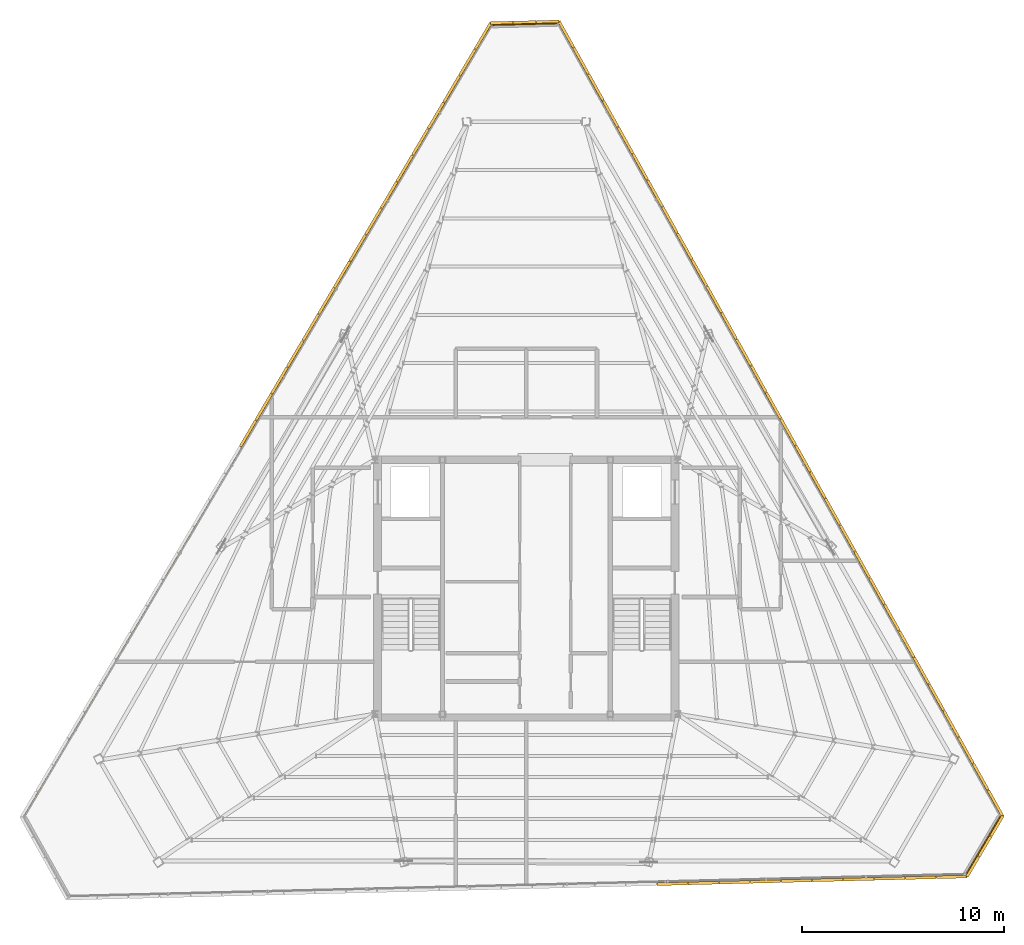
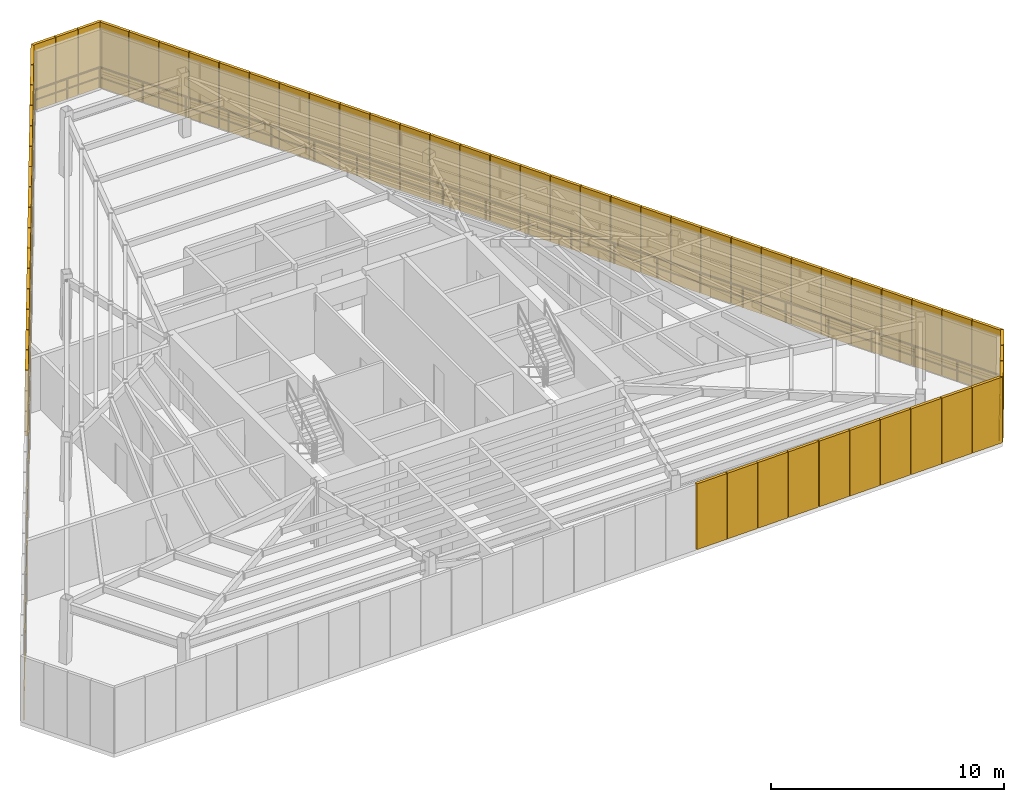
# One storey, part 47 of 47: 62 shading devices, 4 railings.
"""IFC4 building model written with IfcOpenShell, lengths in metres."""

from ifc_helpers import new_model, si_unit, direction, frame, origin, origin_2d, place, context, subcontext, project, spatial, rectangle, extrude, source, transform, mapped, material, layer, layer_set, type_object, type_shapes, element, save


model = new_model("IFC4")

# Units and contexts
model_context = context("Model", 3, precision=1e-05, world=origin(), true_north=direction((0.0, 1.0)))
body_context = subcontext(model_context, "Body", "Model", "MODEL_VIEW")
ifc_project = project(units=[si_unit("LENGTHUNIT", "METRE"), si_unit("AREAUNIT", "SQUARE_METRE"), si_unit("VOLUMEUNIT", "CUBIC_METRE"), si_unit("PLANEANGLEUNIT", "RADIAN"), si_unit("MASSUNIT", "GRAM", prefix="KILO")], contexts=[model_context])

# Site, building, storey
site_placement = place(None, origin())
site = spatial("IfcSite", under=ifc_project, at=site_placement, CompositionType="ELEMENT")
building_placement = place(site_placement, origin())
building = spatial("IfcBuilding", under=site, at=building_placement, Name="Caelisora Broadcast Tower", CompositionType="ELEMENT")
storey_placement = place(building_placement, frame((0.0, 0.0, 293.199951171875)))
storey = spatial("IfcBuildingStorey", under=building, at=storey_placement, Name="L77", CompositionType="ELEMENT", Elevation=293.199951171875)

# Railings
ifc_material_1 = material(Name="Galvanised Steel Safety Guardrail", Category="steel")
ifc_layer_1 = layer(ifc_material_1, 0.048095703125, Name="Galvanised Steel Safety Guardrail")
ifc_layer_set_1 = layer_set([ifc_layer_1], Name="Galvanised Steel Safety Guardrail")
railing_type = type_object("IfcRailingType", Name="GR-1", PredefinedType="GUARDRAIL", material=ifc_layer_set_1)
railing_1_placement = place(storey_placement, frame((39.56298828125, 51.610107421875, 0.0)))
element("IfcRailing", 1, at=railing_1_placement, inside=storey, type_object=railing_type, Name="L77 balustrade GR-1 #01", PredefinedType="GUARDRAIL", context=body_context, shape_type="SweptSolid", body=[
    extrude(rectangle(XDim=0.048095703125, YDim=0.048095703125, at=origin_2d()), frame((0.0, 0.0, 1.076171875), z_axis=(0.487420458177, -0.873167393431, 0.0), x_axis=(0.873167393431, 0.487420458177, 0.0)), (0.0, 0.0, 1.0), 44.96533203125),
    extrude(rectangle(XDim=0.03125, YDim=0.03125, at=origin_2d()), frame((0.0, 0.0, 0.550048828125), z_axis=(0.487420458177, -0.873167393431, 0.0), x_axis=(0.873167393431, 0.487420458177, 0.0)), (0.0, 0.0, 1.0), 44.96533203125),
    extrude(rectangle(XDim=0.0419921875, YDim=0.0419921875, at=origin_2d()), origin(), (0.0, 0.0, 1.0), 1.052001953125),
    extrude(rectangle(XDim=0.0419921875, YDim=0.0419921875, at=origin_2d()), frame((1.043701171875, -1.86962890625, 0.0)), (0.0, 0.0, 1.0), 1.052001953125),
    extrude(rectangle(XDim=0.0419921875, YDim=0.0419921875, at=origin_2d()), frame((2.08740234375, -3.7392578125, 0.0)), (0.0, 0.0, 1.0), 1.052001953125),
    extrude(rectangle(XDim=0.0419921875, YDim=0.0419921875, at=origin_2d()), frame((3.131103515625, -5.60888671875, 0.0)), (0.0, 0.0, 1.0), 1.052001953125),
    extrude(rectangle(XDim=0.0419921875, YDim=0.0419921875, at=origin_2d()), frame((4.174560546875, -7.478515625, 0.0)), (0.0, 0.0, 1.0), 1.052001953125),
    extrude(rectangle(XDim=0.0419921875, YDim=0.0419921875, at=origin_2d()), frame((5.21826171875, -9.34814453125, 0.0)), (0.0, 0.0, 1.0), 1.052001953125),
    extrude(rectangle(XDim=0.0419921875, YDim=0.0419921875, at=origin_2d()), frame((6.261962890625, -11.2177734375, 0.0)), (0.0, 0.0, 1.0), 1.052001953125),
    extrude(rectangle(XDim=0.0419921875, YDim=0.0419921875, at=origin_2d()), frame((7.3056640625, -13.08740234375, 0.0)), (0.0, 0.0, 1.0), 1.052001953125),
    extrude(rectangle(XDim=0.0419921875, YDim=0.0419921875, at=origin_2d()), frame((8.349365234375, -14.95703125, 0.0)), (0.0, 0.0, 1.0), 1.052001953125),
    extrude(rectangle(XDim=0.0419921875, YDim=0.0419921875, at=origin_2d()), frame((9.39306640625, -16.82666015625, 0.0)), (0.0, 0.0, 1.0), 1.052001953125),
    extrude(rectangle(XDim=0.0419921875, YDim=0.0419921875, at=origin_2d()), frame((10.436767578125, -18.6962890625, 0.0)), (0.0, 0.0, 1.0), 1.052001953125),
    extrude(rectangle(XDim=0.0419921875, YDim=0.0419921875, at=origin_2d()), frame((11.480224609375, -20.56591796875, 0.0)), (0.0, 0.0, 1.0), 1.052001953125),
    extrude(rectangle(XDim=0.0419921875, YDim=0.0419921875, at=origin_2d()), frame((12.52392578125, -22.435546875, 0.0)), (0.0, 0.0, 1.0), 1.052001953125),
    extrude(rectangle(XDim=0.0419921875, YDim=0.0419921875, at=origin_2d()), frame((13.567626953125, -24.30517578125, 0.0)), (0.0, 0.0, 1.0), 1.052001953125),
    extrude(rectangle(XDim=0.0419921875, YDim=0.0419921875, at=origin_2d()), frame((14.611328125, -26.1748046875, 0.0)), (0.0, 0.0, 1.0), 1.052001953125),
    extrude(rectangle(XDim=0.0419921875, YDim=0.0419921875, at=origin_2d()), frame((15.655029296875, -28.04443359375, 0.0)), (0.0, 0.0, 1.0), 1.052001953125),
    extrude(rectangle(XDim=0.0419921875, YDim=0.0419921875, at=origin_2d()), frame((16.69873046875, -29.9140625, 0.0)), (0.0, 0.0, 1.0), 1.052001953125),
    extrude(rectangle(XDim=0.0419921875, YDim=0.0419921875, at=origin_2d()), frame((17.742431640625, -31.78369140625, 0.0)), (0.0, 0.0, 1.0), 1.052001953125),
    extrude(rectangle(XDim=0.0419921875, YDim=0.0419921875, at=origin_2d()), frame((18.785888671875, -33.6533203125, 0.0)), (0.0, 0.0, 1.0), 1.052001953125),
    extrude(rectangle(XDim=0.0419921875, YDim=0.0419921875, at=origin_2d()), frame((19.82958984375, -35.52294921875, 0.0)), (0.0, 0.0, 1.0), 1.052001953125),
    extrude(rectangle(XDim=0.0419921875, YDim=0.0419921875, at=origin_2d()), frame((20.873291015625, -37.392578125, 0.0)), (0.0, 0.0, 1.0), 1.052001953125),
    extrude(rectangle(XDim=0.0419921875, YDim=0.0419921875, at=origin_2d()), frame((21.9169921875, -39.26220703125, 0.0)), (0.0, 0.0, 1.0), 1.052001953125),
])
railing_2_placement = place(storey_placement, frame((61.47998046875, 12.347900390625, 0.0)))
element("IfcRailing", 2, at=railing_2_placement, inside=storey, type_object=railing_type, Name="L77 balustrade GR-1 #02", PredefinedType="GUARDRAIL", context=body_context, shape_type="SweptSolid", body=[
    extrude(rectangle(XDim=0.048095703125, YDim=0.048095703125, at=origin_2d()), frame((0.0, 0.0, 1.076171875), z_axis=(-0.508854139044, -0.860852754644, 0.0), x_axis=(0.860852754644, -0.508854139044, 0.0)), (0.0, 0.0, 1.0), 3.3603515625),
    extrude(rectangle(XDim=0.03125, YDim=0.03125, at=origin_2d()), frame((0.0, 0.0, 0.550048828125), z_axis=(-0.508854139044, -0.860852754644, 0.0), x_axis=(0.860852754644, -0.508854139044, 0.0)), (0.0, 0.0, 1.0), 3.3603515625),
    extrude(rectangle(XDim=0.0419921875, YDim=0.0419921875, at=origin_2d()), origin(), (0.0, 0.0, 1.0), 1.052001953125),
    extrude(rectangle(XDim=0.0419921875, YDim=0.0419921875, at=origin_2d()), frame((-0.85498046875, -1.4462890625, 0.0)), (0.0, 0.0, 1.0), 1.052001953125),
    extrude(rectangle(XDim=0.0419921875, YDim=0.0419921875, at=origin_2d()), frame((-1.7099609375, -2.892822265625, 0.0)), (0.0, 0.0, 1.0), 1.052001953125),
])
railing_3_placement = place(storey_placement, frame((13.10302734375, 12.29296875, 0.0)))
element("IfcRailing", 3, at=railing_3_placement, inside=storey, type_object=railing_type, Name="L77 balustrade GR-1 #05", PredefinedType="GUARDRAIL", context=body_context, shape_type="SweptSolid", body=[
    extrude(rectangle(XDim=0.048095703125, YDim=0.048095703125, at=origin_2d()), frame((0.0, 0.0, 1.076171875), z_axis=(0.508769195659, 0.860902959426, 0.0), x_axis=(-0.860902959426, 0.508769195659, 0.0)), (0.0, 0.0, 1.0), 45.57666015625),
    extrude(rectangle(XDim=0.03125, YDim=0.03125, at=origin_2d()), frame((0.0, 0.0, 0.550048828125), z_axis=(0.508769195659, 0.860902959426, 0.0), x_axis=(-0.860902959426, 0.508769195659, 0.0)), (0.0, 0.0, 1.0), 45.57666015625),
    extrude(rectangle(XDim=0.0419921875, YDim=0.0419921875, at=origin_2d()), origin(), (0.0, 0.0, 1.0), 1.052001953125),
    extrude(rectangle(XDim=0.0419921875, YDim=0.0419921875, at=origin_2d()), frame((1.104248046875, 1.868408203125, 0.0)), (0.0, 0.0, 1.0), 1.052001953125),
    extrude(rectangle(XDim=0.0419921875, YDim=0.0419921875, at=origin_2d()), frame((2.20849609375, 3.73681640625, 0.0)), (0.0, 0.0, 1.0), 1.052001953125),
    extrude(rectangle(XDim=0.0419921875, YDim=0.0419921875, at=origin_2d()), frame((3.3125, 5.605224609375, 0.0)), (0.0, 0.0, 1.0), 1.052001953125),
    extrude(rectangle(XDim=0.0419921875, YDim=0.0419921875, at=origin_2d()), frame((4.416748046875, 7.4736328125, 0.0)), (0.0, 0.0, 1.0), 1.052001953125),
    extrude(rectangle(XDim=0.0419921875, YDim=0.0419921875, at=origin_2d()), frame((5.52099609375, 9.342041015625, 0.0)), (0.0, 0.0, 1.0), 1.052001953125),
    extrude(rectangle(XDim=0.0419921875, YDim=0.0419921875, at=origin_2d()), frame((6.625244140625, 11.210693359375, 0.0)), (0.0, 0.0, 1.0), 1.052001953125),
    extrude(rectangle(XDim=0.0419921875, YDim=0.0419921875, at=origin_2d()), frame((7.729248046875, 13.0791015625, 0.0)), (0.0, 0.0, 1.0), 1.052001953125),
    extrude(rectangle(XDim=0.0419921875, YDim=0.0419921875, at=origin_2d()), frame((8.83349609375, 14.947509765625, 0.0)), (0.0, 0.0, 1.0), 1.052001953125),
    extrude(rectangle(XDim=0.0419921875, YDim=0.0419921875, at=origin_2d()), frame((9.937744140625, 16.81591796875, 0.0)), (0.0, 0.0, 1.0), 1.052001953125),
    extrude(rectangle(XDim=0.0419921875, YDim=0.0419921875, at=origin_2d()), frame((11.0419921875, 18.684326171875, 0.0)), (0.0, 0.0, 1.0), 1.052001953125),
    extrude(rectangle(XDim=0.0419921875, YDim=0.0419921875, at=origin_2d()), frame((12.14599609375, 20.552734375, 0.0)), (0.0, 0.0, 1.0), 1.052001953125),
    extrude(rectangle(XDim=0.0419921875, YDim=0.0419921875, at=origin_2d()), frame((13.250244140625, 22.421142578125, 0.0)), (0.0, 0.0, 1.0), 1.052001953125),
    extrude(rectangle(XDim=0.0419921875, YDim=0.0419921875, at=origin_2d()), frame((14.3544921875, 24.28955078125, 0.0)), (0.0, 0.0, 1.0), 1.052001953125),
    extrude(rectangle(XDim=0.0419921875, YDim=0.0419921875, at=origin_2d()), frame((15.458740234375, 26.157958984375, 0.0)), (0.0, 0.0, 1.0), 1.052001953125),
    extrude(rectangle(XDim=0.0419921875, YDim=0.0419921875, at=origin_2d()), frame((16.562744140625, 28.0263671875, 0.0)), (0.0, 0.0, 1.0), 1.052001953125),
    extrude(rectangle(XDim=0.0419921875, YDim=0.0419921875, at=origin_2d()), frame((17.6669921875, 29.89501953125, 0.0)), (0.0, 0.0, 1.0), 1.052001953125),
    extrude(rectangle(XDim=0.0419921875, YDim=0.0419921875, at=origin_2d()), frame((18.771240234375, 31.763427734375, 0.0)), (0.0, 0.0, 1.0), 1.052001953125),
    extrude(rectangle(XDim=0.0419921875, YDim=0.0419921875, at=origin_2d()), frame((19.87548828125, 33.6318359375, 0.0)), (0.0, 0.0, 1.0), 1.052001953125),
    extrude(rectangle(XDim=0.0419921875, YDim=0.0419921875, at=origin_2d()), frame((20.9794921875, 35.500244140625, 0.0)), (0.0, 0.0, 1.0), 1.052001953125),
    extrude(rectangle(XDim=0.0419921875, YDim=0.0419921875, at=origin_2d()), frame((22.083740234375, 37.36865234375, 0.0)), (0.0, 0.0, 1.0), 1.052001953125),
    extrude(rectangle(XDim=0.0419921875, YDim=0.0419921875, at=origin_2d()), frame((23.18798828125, 39.237060546875, 0.0)), (0.0, 0.0, 1.0), 1.052001953125),
])
railing_4_placement = place(storey_placement, frame((36.291015625, 51.530029296875, 0.0)))
element("IfcRailing", 4, at=railing_4_placement, inside=storey, type_object=railing_type, Name="L77 balustrade GR-1 #06", PredefinedType="GUARDRAIL", context=body_context, shape_type="SweptSolid", body=[
    extrude(rectangle(XDim=0.048095703125, YDim=0.048095703125, at=origin_2d()), frame((0.0, 0.0, 1.076171875), z_axis=(0.999700647135, 0.024466632761, 0.0), x_axis=(-0.024466632761, 0.999700647135, 0.0)), (0.0, 0.0, 1.0), 3.27294921875),
    extrude(rectangle(XDim=0.03125, YDim=0.03125, at=origin_2d()), frame((0.0, 0.0, 0.550048828125), z_axis=(0.999700647135, 0.024466632761, 0.0), x_axis=(-0.024466632761, 0.999700647135, 0.0)), (0.0, 0.0, 1.0), 3.27294921875),
    extrude(rectangle(XDim=0.0419921875, YDim=0.0419921875, at=origin_2d()), origin(), (0.0, 0.0, 1.0), 1.052001953125),
    extrude(rectangle(XDim=0.0419921875, YDim=0.0419921875, at=origin_2d()), frame((1.635986328125, 0.0400390625, 0.0)), (0.0, 0.0, 1.0), 1.052001953125),
    extrude(rectangle(XDim=0.0419921875, YDim=0.0419921875, at=origin_2d()), frame((3.27197265625, 0.080078125, 0.0)), (0.0, 0.0, 1.0), 1.052001953125),
])

# Shading devices
ifc_material_2 = material(Name="Anodised Terracotta Aluminium Acoustic Louvre", Category="aluminium")
ifc_layer_2 = layer(ifc_material_2, 0.139892578125, Name="Anodised Terracotta Aluminium Acoustic Louvre")
ifc_layer_set_2 = layer_set([ifc_layer_2], Name="Anodised Terracotta Aluminium Acoustic Louvre")
shading_device_type = type_object("IfcShadingDeviceType", Name="LV-1", PredefinedType="JALOUSIE", material=ifc_layer_set_2)
shared_shape_1 = source(origin(), body_context, "Body", "SweptSolid", [
    extrude(rectangle(XDim=1.114990234375, YDim=0.139892578125, at=origin_2d()), origin(), (0.0, 0.0, 1.0), 3.43994140625),
])
for number, where, z_axis, x_axis, name in (
    (5, (39.072509765625, 51.697998046875, -0.02001953125), (0.0, 0.0, 1.0), (-0.999701489781, -0.024432178153, 0.0), "L77 crown acoustic louvre #001"),
    (6, (37.927978515625, 51.669921875, -0.02001953125), (0.0, 0.0, 1.0), (-0.999701489781, -0.024432178153, 0.0), "L77 crown acoustic louvre #002"),
    (7, (36.783203125, 51.64208984375, -0.02001953125), (0.0, 0.0, 1.0), (-0.999701489781, -0.024432178153, 0.0), "L77 crown acoustic louvre #003"),
):
    element("IfcShadingDevice", number, at=place(storey_placement, frame(where, z_axis=z_axis, x_axis=x_axis)), inside=storey, type_object=shading_device_type, Name=name, PredefinedType="JALOUSIE", context=body_context, shape_type="MappedRepresentation", body=[
        mapped(shared_shape_1, transform((0.0, 0.0, 0.0), scale=1.0)),
    ])
shared_shape_2 = source(origin(), body_context, "Body", "SweptSolid", [
    extrude(rectangle(XDim=1.494384765625, YDim=0.139892578125, at=origin_2d()), origin(), (0.0, 0.0, 1.0), 3.43994140625),
])
for number, where, z_axis, x_axis, name in (
    (8, (35.856689453125, 50.991455078125, -0.02001953125), (0.0, 0.0, 1.0), (-0.508740929096, -0.860919663536, 0.0), "L77 crown acoustic louvre #004"),
    (9, (35.0810546875, 49.678955078125, -0.02001953125), (0.0, 0.0, 1.0), (-0.508740929096, -0.860919663536, 0.0), "L77 crown acoustic louvre #005"),
    (10, (34.305419921875, 48.36669921875, -0.02001953125), (0.0, 0.0, 1.0), (-0.508740929096, -0.860919663536, 0.0), "L77 crown acoustic louvre #006"),
    (11, (33.52978515625, 47.05419921875, -0.02001953125), (0.0, 0.0, 1.0), (-0.508740929096, -0.860919663536, 0.0), "L77 crown acoustic louvre #007"),
    (12, (32.754150390625, 45.74169921875, -0.02001953125), (0.0, 0.0, 1.0), (-0.508740929096, -0.860919663536, 0.0), "L77 crown acoustic louvre #008"),
    (13, (31.978515625, 44.42919921875, -0.02001953125), (0.0, 0.0, 1.0), (-0.508740929096, -0.860919663536, 0.0), "L77 crown acoustic louvre #009"),
    (14, (31.202880859375, 43.11669921875, -0.02001953125), (0.0, 0.0, 1.0), (-0.508740929096, -0.860919663536, 0.0), "L77 crown acoustic louvre #010"),
    (15, (30.427490234375, 41.804443359375, -0.02001953125), (0.0, 0.0, 1.0), (-0.508740929096, -0.860919663536, 0.0), "L77 crown acoustic louvre #011"),
    (16, (29.65185546875, 40.491943359375, -0.02001953125), (0.0, 0.0, 1.0), (-0.508740929096, -0.860919663536, 0.0), "L77 crown acoustic louvre #012"),
    (17, (28.876220703125, 39.179443359375, -0.02001953125), (0.0, 0.0, 1.0), (-0.508740929096, -0.860919663536, 0.0), "L77 crown acoustic louvre #013"),
    (18, (28.1005859375, 37.8671875, -0.02001953125), (0.0, 0.0, 1.0), (-0.508740929096, -0.860919663536, 0.0), "L77 crown acoustic louvre #014"),
    (19, (27.324951171875, 36.5546875, -0.02001953125), (0.0, 0.0, 1.0), (-0.508740929096, -0.860919663536, 0.0), "L77 crown acoustic louvre #015"),
    (20, (26.54931640625, 35.2421875, -0.02001953125), (0.0, 0.0, 1.0), (-0.508740929096, -0.860919663536, 0.0), "L77 crown acoustic louvre #016"),
    (21, (25.773681640625, 33.9296875, -0.02001953125), (0.0, 0.0, 1.0), (-0.508740929096, -0.860919663536, 0.0), "L77 crown acoustic louvre #017"),
    (22, (24.998291015625, 32.617431640625, -0.02001953125), (0.0, 0.0, 1.0), (-0.508740929096, -0.860919663536, 0.0), "L77 crown acoustic louvre #018"),
    (23, (24.22265625, 31.304931640625, -0.02001953125), (0.0, 0.0, 1.0), (-0.508740929096, -0.860919663536, 0.0), "L77 crown acoustic louvre #019"),
):
    element("IfcShadingDevice", number, at=place(storey_placement, frame(where, z_axis=z_axis, x_axis=x_axis)), inside=storey, type_object=shading_device_type, Name=name, PredefinedType="JALOUSIE", context=body_context, shape_type="MappedRepresentation", body=[
        mapped(shared_shape_2, transform((0.0, 0.0, 0.0), scale=1.0)),
    ])
shared_shape_3 = source(origin(), body_context, "Body", "SweptSolid", [
    extrude(rectangle(XDim=1.509521484375, YDim=0.139892578125, at=origin_2d()), origin(), (0.0, 0.0, 1.0), 3.43994140625),
])
for number, where, z_axis, x_axis, name in (
    (24, (45.228515625, 8.997314453125, -0.02001953125), (0.0, 0.0, 1.0), (0.999697210335, 0.024606658605, 0.0), "L77 crown acoustic louvre #057"),
    (25, (46.767578125, 9.03515625, -0.02001953125), (0.0, 0.0, 1.0), (0.999697210335, 0.024606658605, 0.0), "L77 crown acoustic louvre #058"),
    (26, (48.306640625, 9.072998046875, -0.02001953125), (0.0, 0.0, 1.0), (0.999697210335, 0.024606658605, 0.0), "L77 crown acoustic louvre #059"),
    (27, (49.845703125, 9.11083984375, -0.02001953125), (0.0, 0.0, 1.0), (0.999697210335, 0.024606658605, 0.0), "L77 crown acoustic louvre #060"),
    (28, (51.385009765625, 9.148681640625, -0.02001953125), (0.0, 0.0, 1.0), (0.999697210335, 0.024606658605, 0.0), "L77 crown acoustic louvre #061"),
    (29, (52.924072265625, 9.1865234375, -0.02001953125), (0.0, 0.0, 1.0), (0.999697210335, 0.024606658605, 0.0), "L77 crown acoustic louvre #062"),
    (30, (54.463134765625, 9.224609375, -0.02001953125), (0.0, 0.0, 1.0), (0.999697210335, 0.024606658605, 0.0), "L77 crown acoustic louvre #063"),
    (31, (56.002197265625, 9.26220703125, -0.02001953125), (0.0, 0.0, 1.0), (0.999697210335, 0.024606658605, 0.0), "L77 crown acoustic louvre #064"),
    (32, (57.54150390625, 9.30029296875, -0.02001953125), (0.0, 0.0, 1.0), (0.999697210335, 0.024606658605, 0.0), "L77 crown acoustic louvre #065"),
    (33, (59.08056640625, 9.338134765625, -0.02001953125), (0.0, 0.0, 1.0), (0.999697210335, 0.024606658605, 0.0), "L77 crown acoustic louvre #066"),
):
    element("IfcShadingDevice", number, at=place(storey_placement, frame(where, z_axis=z_axis, x_axis=x_axis)), inside=storey, type_object=shading_device_type, Name=name, PredefinedType="JALOUSIE", context=body_context, shape_type="MappedRepresentation", body=[
        mapped(shared_shape_3, transform((0.0, 0.0, 0.0), scale=1.0)),
    ])
shared_shape_4 = source(origin(), body_context, "Body", "SweptSolid", [
    extrude(rectangle(XDim=1.142822265625, YDim=0.139892578125, at=origin_2d()), origin(), (0.0, 0.0, 1.0), 3.43994140625),
])
for number, where, z_axis, x_axis, name in (
    (34, (60.114990234375, 9.84228515625, -0.02001953125), (0.0, 0.0, 1.0), (0.508740929096, 0.860919663536, 0.0), "L77 crown acoustic louvre #067"),
    (35, (60.711669921875, 10.851806640625, -0.02001953125), (0.0, 0.0, 1.0), (0.508740929096, 0.860919663536, 0.0), "L77 crown acoustic louvre #068"),
    (36, (61.30810546875, 11.861572265625, -0.02001953125), (0.0, 0.0, 1.0), (0.508740929096, 0.860919663536, 0.0), "L77 crown acoustic louvre #069"),
):
    element("IfcShadingDevice", number, at=place(storey_placement, frame(where, z_axis=z_axis, x_axis=x_axis)), inside=storey, type_object=shading_device_type, Name=name, PredefinedType="JALOUSIE", context=body_context, shape_type="MappedRepresentation", body=[
        mapped(shared_shape_4, transform((0.0, 0.0, 0.0), scale=1.0)),
    ])
shared_shape_5 = source(origin(), body_context, "Body", "SweptSolid", [
    extrude(rectangle(XDim=1.474365234375, YDim=0.139892578125, at=origin_2d()), origin(), (0.0, 0.0, 1.0), 3.43994140625),
])
type_shapes(shading_device_type, [shared_shape_1, shared_shape_2, shared_shape_3, shared_shape_4, shared_shape_5])
for number, where, z_axis, x_axis, name in (
    (37, (61.239501953125, 12.9833984375, -0.02001953125), (0.0, 0.0, 1.0), (-0.487402531354, 0.87317740032, 0.0), "L77 crown acoustic louvre #070"),
    (38, (60.506103515625, 14.296875, -0.02001953125), (0.0, 0.0, 1.0), (-0.487402531354, 0.87317740032, 0.0), "L77 crown acoustic louvre #071"),
    (39, (59.77294921875, 15.6103515625, -0.02001953125), (0.0, 0.0, 1.0), (-0.487402531354, 0.87317740032, 0.0), "L77 crown acoustic louvre #072"),
    (40, (59.039794921875, 16.923828125, -0.02001953125), (0.0, 0.0, 1.0), (-0.487402531354, 0.87317740032, 0.0), "L77 crown acoustic louvre #073"),
    (41, (58.306396484375, 18.2373046875, -0.02001953125), (0.0, 0.0, 1.0), (-0.487402531354, 0.87317740032, 0.0), "L77 crown acoustic louvre #074"),
    (42, (57.5732421875, 19.55078125, -0.02001953125), (0.0, 0.0, 1.0), (-0.487402531354, 0.87317740032, 0.0), "L77 crown acoustic louvre #075"),
    (43, (56.840087890625, 20.864501953125, -0.02001953125), (0.0, 0.0, 1.0), (-0.487402531354, 0.87317740032, 0.0), "L77 crown acoustic louvre #076"),
    (44, (56.106689453125, 22.177978515625, -0.02001953125), (0.0, 0.0, 1.0), (-0.487402531354, 0.87317740032, 0.0), "L77 crown acoustic louvre #077"),
    (45, (55.37353515625, 23.491455078125, -0.02001953125), (0.0, 0.0, 1.0), (-0.487402531354, 0.87317740032, 0.0), "L77 crown acoustic louvre #078"),
    (46, (54.640380859375, 24.80517578125, -0.02001953125), (0.0, 0.0, 1.0), (-0.487402531354, 0.87317740032, 0.0), "L77 crown acoustic louvre #079"),
    (47, (53.906982421875, 26.11865234375, -0.02001953125), (0.0, 0.0, 1.0), (-0.487402531354, 0.87317740032, 0.0), "L77 crown acoustic louvre #080"),
    (48, (53.173828125, 27.43212890625, -0.02001953125), (0.0, 0.0, 1.0), (-0.487402531354, 0.87317740032, 0.0), "L77 crown acoustic louvre #081"),
    (49, (52.440673828125, 28.74560546875, -0.02001953125), (0.0, 0.0, 1.0), (-0.487402531354, 0.87317740032, 0.0), "L77 crown acoustic louvre #082"),
    (50, (51.70751953125, 30.05908203125, -0.02001953125), (0.0, 0.0, 1.0), (-0.487402531354, 0.87317740032, 0.0), "L77 crown acoustic louvre #083"),
    (51, (50.97412109375, 31.372802734375, -0.02001953125), (0.0, 0.0, 1.0), (-0.487402531354, 0.87317740032, 0.0), "L77 crown acoustic louvre #084"),
    (52, (50.240966796875, 32.686279296875, -0.02001953125), (0.0, 0.0, 1.0), (-0.487402531354, 0.87317740032, 0.0), "L77 crown acoustic louvre #085"),
    (53, (49.5078125, 33.999755859375, -0.02001953125), (0.0, 0.0, 1.0), (-0.487402531354, 0.87317740032, 0.0), "L77 crown acoustic louvre #086"),
    (54, (48.7744140625, 35.313232421875, -0.02001953125), (0.0, 0.0, 1.0), (-0.487402531354, 0.87317740032, 0.0), "L77 crown acoustic louvre #087"),
    (55, (48.041259765625, 36.626953125, -0.02001953125), (0.0, 0.0, 1.0), (-0.487402531354, 0.87317740032, 0.0), "L77 crown acoustic louvre #088"),
    (56, (47.30810546875, 37.9404296875, -0.02001953125), (0.0, 0.0, 1.0), (-0.487402531354, 0.87317740032, 0.0), "L77 crown acoustic louvre #089"),
    (57, (46.57470703125, 39.25390625, -0.02001953125), (0.0, 0.0, 1.0), (-0.487402531354, 0.87317740032, 0.0), "L77 crown acoustic louvre #090"),
    (58, (45.841552734375, 40.5673828125, -0.02001953125), (0.0, 0.0, 1.0), (-0.487402531354, 0.87317740032, 0.0), "L77 crown acoustic louvre #091"),
    (59, (45.1083984375, 41.881103515625, -0.02001953125), (0.0, 0.0, 1.0), (-0.487402531354, 0.87317740032, 0.0), "L77 crown acoustic louvre #092"),
    (60, (44.375, 43.194580078125, -0.02001953125), (0.0, 0.0, 1.0), (-0.487402531354, 0.87317740032, 0.0), "L77 crown acoustic louvre #093"),
    (61, (43.641845703125, 44.508056640625, -0.02001953125), (0.0, 0.0, 1.0), (-0.487402531354, 0.87317740032, 0.0), "L77 crown acoustic louvre #094"),
    (62, (42.90869140625, 45.821533203125, -0.02001953125), (0.0, 0.0, 1.0), (-0.487402531354, 0.87317740032, 0.0), "L77 crown acoustic louvre #095"),
    (63, (42.17529296875, 47.135009765625, -0.02001953125), (0.0, 0.0, 1.0), (-0.487402531354, 0.87317740032, 0.0), "L77 crown acoustic louvre #096"),
    (64, (41.442138671875, 48.44873046875, -0.02001953125), (0.0, 0.0, 1.0), (-0.487402531354, 0.87317740032, 0.0), "L77 crown acoustic louvre #097"),
    (65, (40.708984375, 49.76220703125, -0.02001953125), (0.0, 0.0, 1.0), (-0.487402531354, 0.87317740032, 0.0), "L77 crown acoustic louvre #098"),
    (66, (39.9755859375, 51.07568359375, -0.02001953125), (0.0, 0.0, 1.0), (-0.487402531354, 0.87317740032, 0.0), "L77 crown acoustic louvre #099"),
):
    element("IfcShadingDevice", number, at=place(storey_placement, frame(where, z_axis=z_axis, x_axis=x_axis)), inside=storey, type_object=shading_device_type, Name=name, PredefinedType="JALOUSIE", context=body_context, shape_type="MappedRepresentation", body=[
        mapped(shared_shape_5, transform((0.0, 0.0, 0.0), scale=1.0)),
    ])

save(model, "model.ifc")
